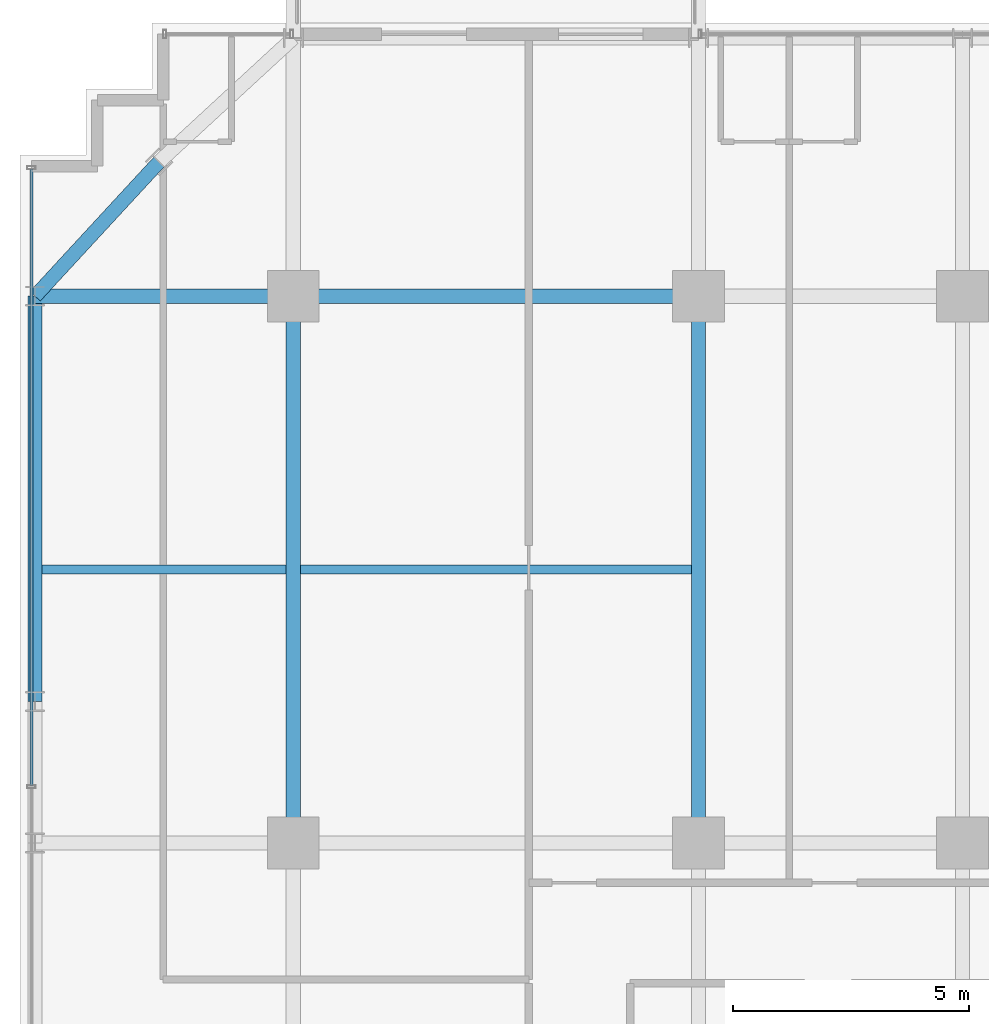
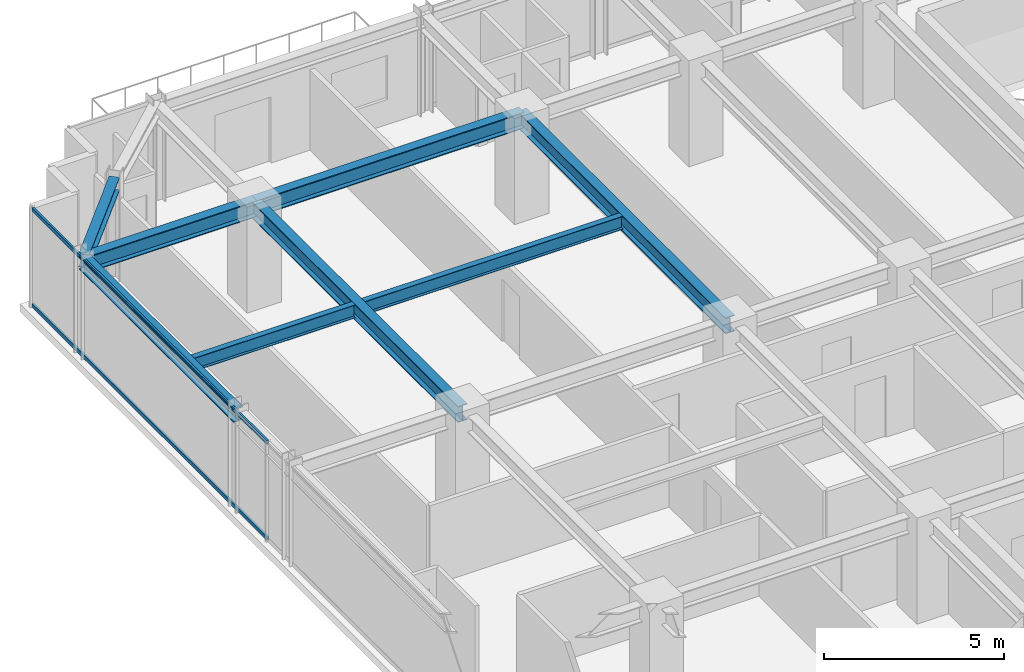
# One storey, part 14 of 29: 8 beams, 2 members, 1 element without a shape of its own.
"""IFC4 building model written with IfcOpenShell, lengths in metres."""

from ifc_helpers import new_model, si_unit, direction, frame, origin, origin_2d, place, context, subcontext, project, spatial, hollow_rectangle, i_section, extrude, source, transform, mapped, material, material_profile, profile_set, type_object, element, aggregate, save


model = new_model("IFC4")

# Units and contexts
model_context = context("Model", 3, precision=1e-05, world=origin(), true_north=direction((0.0, 1.0)))
body_context = subcontext(model_context, "Body", "Model", "MODEL_VIEW")
ifc_project = project(units=[si_unit("LENGTHUNIT", "METRE"), si_unit("AREAUNIT", "SQUARE_METRE"), si_unit("VOLUMEUNIT", "CUBIC_METRE"), si_unit("PLANEANGLEUNIT", "RADIAN"), si_unit("MASSUNIT", "GRAM", prefix="KILO")], contexts=[model_context])

# Site, building, storey
site_placement = place(None, origin())
site = spatial("IfcSite", under=ifc_project, at=site_placement, CompositionType="ELEMENT")
building_placement = place(site_placement, origin())
building = spatial("IfcBuilding", under=site, at=building_placement, Name="Nahalor Promenade Grand Hotel", CompositionType="ELEMENT")
storey_placement = place(building_placement, frame((0.0, 0.0, 189.14990234375)))
storey = spatial("IfcBuildingStorey", under=building, at=storey_placement, Name="L48", CompositionType="ELEMENT", Elevation=189.14990234375)

# Beams
ifc_material_1 = material(Name="Steel S355JR", Category="steel")
ifc_material_profile_1 = material_profile(ifc_material_1, i_section(OverallWidth=0.3, OverallDepth=0.55, WebThickness=0.015, FlangeThickness=0.029, at=origin_2d()), Name="HEB 550")
ifc_profile_set_1 = profile_set([ifc_material_profile_1], Name="Steel S355JR")
beam_type_1 = type_object("IfcBeamType", Name="Beam-Girder-HEB550", PredefinedType="BEAM", material=ifc_profile_set_1)
shared_shape_1 = source(origin(), body_context, "Body", "SweptSolid", [
    extrude(i_section(OverallWidth=0.3, OverallDepth=0.55, WebThickness=0.015, FlangeThickness=0.029, at=origin_2d()), origin(), (0.0, 0.0, 1.0), 8.60009765625),
])
beam_1_placement = place(storey_placement, frame((-17.0, 17.0, 3.114990234375), z_axis=(1.0, 0.0, 0.0), x_axis=(0.0, 1.0, 0.0)))
element("IfcBeam", 1, at=beam_1_placement, inside=storey, type_object=beam_type_1, Name="BM-L48-GX-3-1", PredefinedType="BEAM", context=body_context, shape_type="MappedRepresentation", body=[
    mapped(shared_shape_1, transform((0.0, 0.0, 0.0), scale=1.0)),
])
shared_shape_2 = source(origin(), body_context, "Body", "SweptSolid", [
    extrude(i_section(OverallWidth=0.3, OverallDepth=0.55, WebThickness=0.015, FlangeThickness=0.029, at=origin_2d()), origin(), (0.0, 0.0, 1.0), 11.60009765625),
])
for number, where, z_axis, x_axis, name in (
    (2, (-17.0, 5.39990234375, 3.114990234375), (0.0, 1.0, 0.0), (-1.0, 0.0, 0.0), "BM-L48-GY-0-3"),
    (3, (-8.39990234375, 5.39990234375, 3.114990234375), (0.0, 1.0, 0.0), (-1.0, 0.0, 0.0), "BM-L48-GY-1-3"),
):
    element("IfcBeam", number, at=place(storey_placement, frame(where, z_axis=z_axis, x_axis=x_axis)), inside=storey, type_object=beam_type_1, Name=name, PredefinedType="BEAM", context=body_context, shape_type="MappedRepresentation", body=[
        mapped(shared_shape_2, transform((0.0, 0.0, 0.0), scale=1.0)),
    ])
ifc_material_profile_2 = material_profile(ifc_material_1, i_section(OverallWidth=0.19, OverallDepth=0.45, WebThickness=0.0094, FlangeThickness=0.0146, at=origin_2d()), Name="IPE 450")
ifc_profile_set_2 = profile_set([ifc_material_profile_2], Name="Steel S355JR")
beam_type_2 = type_object("IfcBeamType", Name="Beam-Joist-IPE450", PredefinedType="JOIST", material=ifc_profile_set_2)
shared_shape_3 = source(origin(), body_context, "Body", "SweptSolid", [
    extrude(i_section(OverallWidth=0.19, OverallDepth=0.45, WebThickness=0.0094, FlangeThickness=0.0146, at=origin_2d()), origin(), (0.0, 0.0, 1.0), 8.300048828125),
])
beam_2_placement = place(storey_placement, frame((-16.85009765625, 11.199951171875, 3.1650390625), z_axis=(1.0, 0.0, 0.0), x_axis=(0.0, 1.0, 0.0)))
element("IfcBeam", 4, at=beam_2_placement, inside=storey, type_object=beam_type_2, Name="BM-L48-JSW-1-1", PredefinedType="JOIST", context=body_context, shape_type="MappedRepresentation", body=[
    mapped(shared_shape_3, transform((0.0, 0.0, 0.0), scale=1.0)),
])
shared_shape_4 = source(origin(), body_context, "Body", "SweptSolid", [
    extrude(i_section(OverallWidth=0.3, OverallDepth=0.55, WebThickness=0.015, FlangeThickness=0.029, at=origin_2d()), origin(), (0.0, 0.0, 1.0), 5.47998046875),
])
beam_3_placement = place(storey_placement, frame((-22.47998046875, 17.0, 3.114990234375), z_axis=(1.0, 0.0, 0.0), x_axis=(0.0, 1.0, 0.0)))
element("IfcBeam", 5, at=beam_3_placement, inside=storey, type_object=beam_type_1, Name="BM-L48-GX-3-0", PredefinedType="BEAM", context=body_context, shape_type="MappedRepresentation", body=[
    mapped(shared_shape_4, transform((0.0, 0.0, 0.0), scale=1.0)),
])
shared_shape_5 = source(origin(), body_context, "Body", "SweptSolid", [
    extrude(i_section(OverallWidth=0.19, OverallDepth=0.45, WebThickness=0.0094, FlangeThickness=0.0146, at=origin_2d()), origin(), (0.0, 0.0, 1.0), 5.18017578125),
])
beam_4_placement = place(storey_placement, frame((-22.330078125, 11.199951171875, 3.1650390625), z_axis=(1.0, 0.0, 0.0), x_axis=(0.0, 1.0, 0.0)))
element("IfcBeam", 6, at=beam_4_placement, inside=storey, type_object=beam_type_2, Name="BM-L48-JSW-1-0", PredefinedType="JOIST", context=body_context, shape_type="MappedRepresentation", body=[
    mapped(shared_shape_5, transform((0.0, 0.0, 0.0), scale=1.0)),
])
ifc_material_profile_3 = material_profile(ifc_material_1, i_section(OverallWidth=0.3, OverallDepth=0.45, WebThickness=0.014, FlangeThickness=0.026, at=origin_2d()), Name="HEB 450")
ifc_profile_set_3 = profile_set([ifc_material_profile_3], Name="Steel S355JR")
beam_type_3 = type_object("IfcBeamType", Name="Beam-Spandrel-HEB450", PredefinedType="SPANDREL", material=ifc_profile_set_3)
shared_shape_6 = source(origin(), body_context, "Body", "SweptSolid", [
    extrude(i_section(OverallWidth=0.3, OverallDepth=0.45, WebThickness=0.014, FlangeThickness=0.026, at=origin_2d()), origin(), (0.0, 0.0, 1.0), 8.60009765625),
])
beam_5_placement = place(storey_placement, frame((-22.47998046875, 8.39990234375, 3.1650390625), z_axis=(0.0, 1.0, 0.0), x_axis=(-1.0, 0.0, 0.0)))
element("IfcBeam", 7, at=beam_5_placement, inside=storey, type_object=beam_type_3, Name="BM-L48-SP-W-4", PredefinedType="SPANDREL", context=body_context, shape_type="MappedRepresentation", body=[
    mapped(shared_shape_6, transform((0.0, 0.0, 0.0), scale=1.0)),
])
shared_shape_7 = source(origin(), body_context, "Body", "SweptSolid", [
    extrude(i_section(OverallWidth=0.3, OverallDepth=0.45, WebThickness=0.014, FlangeThickness=0.026, at=origin_2d()), origin(), (0.0, 0.0, 1.0), 3.878173828125),
])
beam_6_placement = place(storey_placement, frame((-19.85009765625, 19.85009765625, 3.1650390625), z_axis=(-0.678144125843, -0.73492893846, 0.0), x_axis=(0.73492893846, -0.678144125843, 0.0)))
element("IfcBeam", 8, at=beam_6_placement, inside=storey, type_object=beam_type_3, Name="BM-L48-SPC-NW-2", PredefinedType="SPANDREL", context=body_context, shape_type="MappedRepresentation", body=[
    mapped(shared_shape_7, transform((0.0, 0.0, 0.0), scale=1.0)),
])

# Curtain wall, members
ifc_material_2 = material(Name="Anodised Bronze Aluminium EN AW-6063 T6", Category="aluminium")
curtain_wall_type = type_object("IfcCurtainWallType", Name="CW2 Typical Hotel Flush Bronze Unitised Curtain Wall", PredefinedType="USERDEFINED", material=ifc_material_2)
curtain_wall_placement = place(storey_placement, origin())
curtain_wall = element("IfcCurtainWall", 9, at=curtain_wall_placement, inside=storey, type_object=curtain_wall_type, Name="L48 Curtain Wall CW-L48-W-1", ObjectType="UNITISED_CURTAIN_WALL", PredefinedType="USERDEFINED")
ifc_material_profile_4 = material_profile(ifc_material_2, hollow_rectangle(XDim=0.065, YDim=0.13, WallThickness=0.004, at=origin_2d()), Name="CWT 65x130x4")
ifc_profile_set_4 = profile_set([ifc_material_profile_4], Name="Anodised Bronze Aluminium EN AW-6063 T6")
member_type = type_object("IfcMemberType", Name="CWT2 Typical Bronze Transom 65x130", PredefinedType="USERDEFINED", material=ifc_profile_set_4)
shared_shape_8 = source(origin(), body_context, "Body", "SweptSolid", [
    extrude(hollow_rectangle(XDim=0.065, YDim=0.13, WallThickness=0.004, at=origin_2d()), origin(), (0.0, 0.0, 1.0), 13.075927734375),
])
member_1_placement = place(storey_placement, frame((-22.56005859375, 6.619140625, 0.065185546875), z_axis=(0.0, 1.0, 0.0), x_axis=(-1.0, 0.0, 0.0)))
member_1 = element("IfcMember", 10, at=member_1_placement, type_object=member_type, Name="CW-L48-W-1 Transom 2-0", ObjectType="TRANSOM", PredefinedType="USERDEFINED", context=body_context, shape_type="MappedRepresentation", body=[
    mapped(shared_shape_8, transform((0.0, 0.0, 0.0), scale=1.0)),
])
member_2_placement = place(storey_placement, frame((-22.56005859375, 6.619140625, 3.3251953125), z_axis=(0.0, 1.0, 0.0), x_axis=(-1.0, 0.0, 0.0)))
member_2 = element("IfcMember", 11, at=member_2_placement, type_object=member_type, Name="CW-L48-W-1 Transom 2-1", ObjectType="TRANSOM", PredefinedType="USERDEFINED", context=body_context, shape_type="MappedRepresentation", body=[
    mapped(shared_shape_8, transform((0.0, 0.0, 0.0), scale=1.0)),
])
aggregate(curtain_wall, [member_1, member_2])

save(model, "model.ifc")
